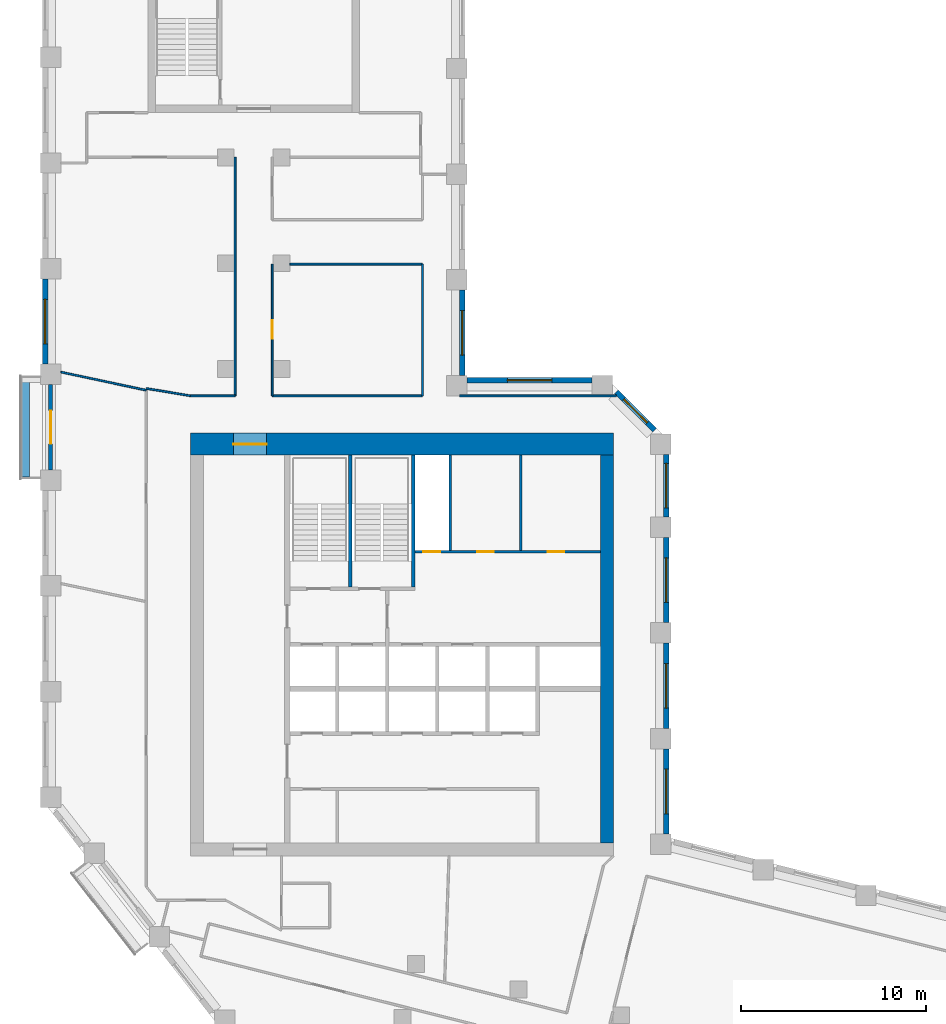
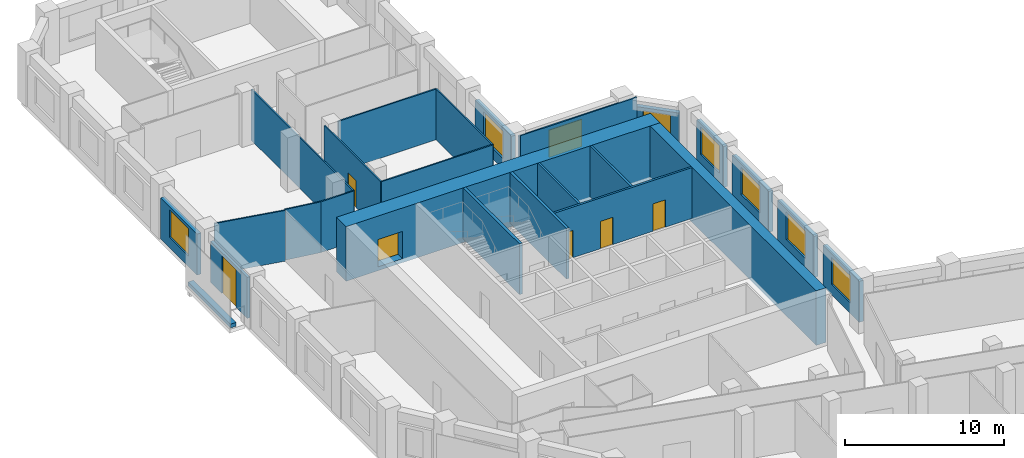
# One storey, part 6 of 10: 26 walls, 8 windows, 6 doors, 14 openings.
"""IFC4 building model written with IfcOpenShell, lengths in metres."""

from ifc_helpers import new_model, si_unit, direction, frame, frame_2d, origin, place, context, subcontext, project, spatial, rectangle, extrude, material, layer, layer_set, type_object, element, fill, save


model = new_model("IFC4")

# Units and contexts
model_context = context("Model", 3, precision=1e-05, world=origin(), true_north=direction((0.0, 1.0)))
body_context = subcontext(model_context, "Body", "Model", "MODEL_VIEW")
ifc_project = project(units=[si_unit("LENGTHUNIT", "METRE"), si_unit("AREAUNIT", "SQUARE_METRE"), si_unit("VOLUMEUNIT", "CUBIC_METRE"), si_unit("PLANEANGLEUNIT", "RADIAN"), si_unit("MASSUNIT", "GRAM", prefix="KILO")], contexts=[model_context])

# Site, building, storey
site_placement = place(None, origin())
site = spatial("IfcSite", under=ifc_project, at=site_placement, CompositionType="ELEMENT")
building_placement = place(site_placement, origin())
building = spatial("IfcBuilding", under=site, at=building_placement, Name="Meshkara Civic Tower", CompositionType="ELEMENT")
storey_placement = place(building_placement, frame((0.0, 0.0, 250.800048828125)))
storey = spatial("IfcBuildingStorey", under=building, at=storey_placement, Name="L57", CompositionType="ELEMENT", Elevation=250.800048828125)

# Wall, openings, doors
ifc_material_1 = material(Name="Blockwork", Category="masonry")
ifc_layer_1 = layer(ifc_material_1, 0.14990234375)
ifc_layer_set_1 = layer_set([ifc_layer_1], Name="Core partition 150")
wall_type_1 = type_object("IfcWallType", Name="Core partition 150", PredefinedType="PARTITIONING", material=ifc_layer_set_1)
wall_1_placement = place(storey_placement, frame((20.10009765625, 30.5, 0.0), z_axis=(0.0, 0.0, 1.0), x_axis=(1.0, 0.0, 0.0)))
wall_1 = element("IfcWall", 1, at=wall_1_placement, inside=storey, type_object=wall_type_1, Name="L57-C010", PredefinedType="PARTITIONING", context=body_context, shape_type="SweptSolid", body=[
    extrude(rectangle(XDim=10.0, YDim=0.14990234375, at=frame_2d((5.0, 0.0))), origin(), (0.0, 0.0, 1.0), 3.89990234375),
])
opening_1_placement = place(wall_1_placement, frame((0.449951171875, 0.0, 0.0)))
opening_1 = element("IfcOpeningElement", 2, at=opening_1_placement, cuts=wall_1, Name="Opening L57-K012", PredefinedType="OPENING", context=body_context, shape_type="SweptSolid", body=[
    extrude(rectangle(XDim=0.89990234375, YDim=2.10009765625, at=frame_2d((0.449951171875, 1.050048828125))), frame((0.0, 0.0849609375, 0.0), z_axis=(0.0, -1.0, 0.0), x_axis=(1.0, 0.0, 0.0)), (0.0, 0.0, 1.0), 0.169921875),
])
opening_2_placement = place(wall_1_placement, frame((3.35009765625, 0.0, 0.0)))
opening_2 = element("IfcOpeningElement", 3, at=opening_2_placement, cuts=wall_1, Name="Opening L57-K013", PredefinedType="OPENING", context=body_context, shape_type="SweptSolid", body=[
    extrude(rectangle(XDim=0.89990234375, YDim=2.10009765625, at=frame_2d((0.449951171875, 1.050048828125))), frame((0.0, 0.0849609375, 0.0), z_axis=(0.0, -1.0, 0.0), x_axis=(1.0, 0.0, 0.0)), (0.0, 0.0, 1.0), 0.169921875),
])
opening_3_placement = place(wall_1_placement, frame((7.14990234375, 0.0, 0.0)))
opening_3 = element("IfcOpeningElement", 4, at=opening_3_placement, cuts=wall_1, Name="Opening L57-K014", PredefinedType="OPENING", context=body_context, shape_type="SweptSolid", body=[
    extrude(rectangle(XDim=0.89990234375, YDim=2.10009765625, at=frame_2d((0.449951171875, 1.050048828125))), frame((0.0, 0.0849609375, 0.0), z_axis=(0.0, -1.0, 0.0), x_axis=(1.0, 0.0, 0.0)), (0.0, 0.0, 1.0), 0.169921875),
])
ifc_material_2 = material(Name="Timber door leaf in steel frame", Category="steel")
door_type_1 = type_object("IfcDoorType", Name="Core room door 900", OperationType="SINGLE_SWING_LEFT", PredefinedType="DOOR", material=ifc_material_2)
door_1_placement = place(opening_2_placement, origin())
door_1 = element("IfcDoor", 5, at=door_1_placement, inside=storey, type_object=door_type_1, Name="L57-K013", OperationType="SINGLE_SWING_RIGHT", OverallHeight=2.10009765625, OverallWidth=0.89990234375, PredefinedType="DOOR", context=body_context, shape_type="SweptSolid", body=[
    extrude(rectangle(XDim=0.89990234375, YDim=2.10009765625, at=frame_2d((0.449951171875, 1.050048828125))), frame((0.0, 0.02490234375, 0.0), z_axis=(0.0, -1.0, 0.0), x_axis=(1.0, 0.0, 0.0)), (0.0, 0.0, 1.0), 0.050048828125),
])
fill(opening_2, door_1)
ifc_material_3 = material(Name="Fire-rated door leaf in steel frame", Category="steel")
door_type_2 = type_object("IfcDoorType", Name="Riser door 900", OperationType="SINGLE_SWING_LEFT", PredefinedType="DOOR", material=ifc_material_3)
door_2_placement = place(opening_1_placement, origin())
door_2 = element("IfcDoor", 6, at=door_2_placement, inside=storey, type_object=door_type_2, Name="L57-K012", OperationType="SINGLE_SWING_RIGHT", OverallHeight=2.10009765625, OverallWidth=0.89990234375, PredefinedType="DOOR", context=body_context, shape_type="SweptSolid", body=[
    extrude(rectangle(XDim=0.89990234375, YDim=2.10009765625, at=frame_2d((0.449951171875, 1.050048828125))), frame((0.0, 0.02490234375, 0.0), z_axis=(0.0, -1.0, 0.0), x_axis=(1.0, 0.0, 0.0)), (0.0, 0.0, 1.0), 0.050048828125),
])
fill(opening_1, door_2)
ifc_material_4 = material(Name="Timber door leaf in steel frame", Category="steel")
door_type_3 = type_object("IfcDoorType", Name="WC door 900", OperationType="SINGLE_SWING_LEFT", PredefinedType="DOOR", material=ifc_material_4)
door_3_placement = place(opening_3_placement, origin())
door_3 = element("IfcDoor", 7, at=door_3_placement, inside=storey, type_object=door_type_3, Name="L57-K014", OperationType="SINGLE_SWING_LEFT", OverallHeight=2.10009765625, OverallWidth=0.89990234375, PredefinedType="DOOR", context=body_context, shape_type="SweptSolid", body=[
    extrude(rectangle(XDim=0.89990234375, YDim=2.10009765625, at=frame_2d((0.449951171875, 1.050048828125))), frame((0.0, 0.02490234375, 0.0), z_axis=(0.0, -1.0, 0.0), x_axis=(1.0, 0.0, 0.0)), (0.0, 0.0, 1.0), 0.050048828125),
])
fill(opening_3, door_3)

# Walls
for number, where, z_axis, x_axis, name in (
    (8, (22.0, 30.574951171875, 0.0), (0.0, 0.0, 1.0), (0.0, 1.0, 0.0), "L57-C018"),
    (9, (25.800048828125, 30.574951171875, 0.0), (0.0, 0.0, 1.0), (0.0, 1.0, 0.0), "L57-C020"),
):
    element("IfcWall", number, at=place(storey_placement, frame(where, z_axis=z_axis, x_axis=x_axis)), inside=storey, type_object=wall_type_1, Name=name, PredefinedType="PARTITIONING", context=body_context, shape_type="SweptSolid", body=[
        extrude(rectangle(XDim=5.125, YDim=0.14990234375, at=frame_2d((2.5625, 0.0))), origin(), (0.0, 0.0, 1.0), 3.89990234375),
    ])

# Wall, opening, door
ifc_material_5 = material(Name="Concrete C60", Category="concrete")
ifc_layer_2 = layer(ifc_material_5, 1.199951171875)
ifc_layer_set_2 = layer_set([ifc_layer_2], Name="Core ring wall 1200 C60")
wall_type_2 = type_object("IfcWallType", Name="Core ring wall 1200 C60", PredefinedType="SHEAR", material=ifc_layer_set_2)
wall_2_placement = place(storey_placement, frame((8.0, 36.300048828125, -0.300048828125), z_axis=(0.0, 0.0, 1.0), x_axis=(1.0, 0.0, 0.0)))
wall_2 = element("IfcWall", 10, at=wall_2_placement, inside=storey, type_object=wall_type_2, Name="L57-C002", PredefinedType="SHEAR", context=body_context, shape_type="SweptSolid", body=[
    extrude(rectangle(XDim=22.800048828125, YDim=1.199951171875, at=frame_2d((11.39990234375, 0.0))), origin(), (0.0, 0.0, 1.0), 4.199951171875),
])
opening_4_placement = place(wall_2_placement, frame((2.300048828125, 0.0, 0.300048828125)))
opening_4 = element("IfcOpeningElement", 11, at=opening_4_placement, cuts=wall_2, Name="Opening L57-K020", PredefinedType="OPENING", context=body_context, shape_type="SweptSolid", body=[
    extrude(rectangle(XDim=1.800048828125, YDim=2.10009765625, at=frame_2d((0.89990234375, 1.050048828125))), frame((0.0, 0.60986328125, 0.0), z_axis=(0.0, -1.0, 0.0), x_axis=(1.0, 0.0, 0.0)), (0.0, 0.0, 1.0), 1.219970703125),
])
ifc_material_6 = material(Name="Fire-rated door leaf in steel frame", Category="steel")
door_type_4 = type_object("IfcDoorType", Name="Core double door 1800 EI 60", OperationType="DOUBLE_DOOR_SINGLE_SWING", PredefinedType="DOOR", material=ifc_material_6)
door_4_placement = place(opening_4_placement, origin())
door_4 = element("IfcDoor", 12, at=door_4_placement, inside=storey, type_object=door_type_4, Name="L57-K020", OperationType="DOUBLE_DOOR_SINGLE_SWING", OverallHeight=2.10009765625, OverallWidth=1.800048828125, PredefinedType="DOOR", context=body_context, shape_type="SweptSolid", body=[
    extrude(rectangle(XDim=1.800048828125, YDim=2.10009765625, at=frame_2d((0.89990234375, 1.050048828125))), frame((0.0, 0.02490234375, 0.0), z_axis=(0.0, -1.0, 0.0), x_axis=(1.0, 0.0, 0.0)), (0.0, 0.0, 1.0), 0.050048828125),
])
fill(opening_4, door_4)

# Walls
ifc_material_7 = material(Name="Concrete C60", Category="concrete")
ifc_layer_3 = layer(ifc_material_7, 0.699951171875)
ifc_layer_set_3 = layer_set([ifc_layer_3], Name="Core ring wall 700 C60")
wall_type_3 = type_object("IfcWallType", Name="Core ring wall 700 C60", PredefinedType="SHEAR", material=ifc_layer_set_3)
wall_3_placement = place(storey_placement, frame((30.449951171875, 14.800048828125, -0.300048828125), z_axis=(0.0, 0.0, 1.0), x_axis=(0.0, 1.0, 0.0)))
element("IfcWall", 13, at=wall_3_placement, inside=storey, type_object=wall_type_3, Name="L57-C004", PredefinedType="SHEAR", context=body_context, shape_type="SweptSolid", body=[
    extrude(rectangle(XDim=20.89990234375, YDim=0.699951171875, at=frame_2d((10.449951171875, 0.0))), origin(), (0.0, 0.0, 1.0), 4.199951171875),
])
ifc_material_8 = material(Name="Corridor wall 100")
ifc_layer_4 = layer(ifc_material_8, 0.10009765625)
ifc_layer_set_4 = layer_set([ifc_layer_4], Name="Corridor wall 100")
wall_type_4 = type_object("IfcWallType", Name="Corridor wall 100", PredefinedType="PARTITIONING", material=ifc_layer_set_4)
wall_4_placement = place(storey_placement, frame((8.0, 38.89990234375, 0.0), z_axis=(0.0, 0.0, 1.0), x_axis=(-0.986383073668, 0.16446407505, 0.0)))
element("IfcWall", 14, at=wall_4_placement, inside=storey, type_object=wall_type_4, Name="L57-W007", PredefinedType="PARTITIONING", context=body_context, shape_type="SweptSolid", body=[
    extrude(rectangle(XDim=2.43310546875, YDim=0.10009765625, at=frame_2d((1.216552734375, 0.0))), origin(), (0.0, 0.0, 1.0), 3.89990234375),
])
wall_5_placement = place(storey_placement, frame((10.39990234375, 38.89990234375, 0.0), z_axis=(0.0, 0.0, 1.0), x_axis=(-1.0, 0.0, 0.0)))
element("IfcWall", 15, at=wall_5_placement, inside=storey, type_object=wall_type_4, Name="L57-W012", PredefinedType="PARTITIONING", context=body_context, shape_type="SweptSolid", body=[
    extrude(rectangle(XDim=2.39990234375, YDim=0.10009765625, at=frame_2d((1.199951171875, 0.0))), origin(), (0.0, 0.0, 1.0), 3.89990234375),
])
wall_6_placement = place(storey_placement, frame((10.39990234375, 51.77001953125, 0.0), z_axis=(0.0, 0.0, 1.0), x_axis=(0.0, -1.0, 0.0)))
element("IfcWall", 16, at=wall_6_placement, inside=storey, type_object=wall_type_4, Name="L57-W013", PredefinedType="PARTITIONING", context=body_context, shape_type="SweptSolid", body=[
    extrude(rectangle(XDim=12.8701171875, YDim=0.10009765625, at=frame_2d((6.43505859375, 0.0))), origin(), (0.0, 0.0, 1.0), 3.89990234375),
])

# Wall, opening, door
wall_7_placement = place(storey_placement, frame((12.39990234375, 38.89990234375, 0.0), z_axis=(0.0, 0.0, 1.0), x_axis=(0.0, 1.0, 0.0)))
wall_7 = element("IfcWall", 17, at=wall_7_placement, inside=storey, type_object=wall_type_4, Name="L57-W014", PredefinedType="PARTITIONING", context=body_context, shape_type="SweptSolid", body=[
    extrude(rectangle(XDim=7.10009765625, YDim=0.10009765625, at=frame_2d((3.550048828125, 0.0))), origin(), (0.0, 0.0, 1.0), 3.89990234375),
])
opening_5_placement = place(wall_7_placement, frame((3.080078125, 0.0, 0.0)))
opening_5 = element("IfcOpeningElement", 18, at=opening_5_placement, cuts=wall_7, Name="Opening L57-D015", PredefinedType="OPENING", context=body_context, shape_type="SweptSolid", body=[
    extrude(rectangle(XDim=1.0, YDim=2.10009765625, at=frame_2d((0.5, 1.050048828125))), frame((0.0, 0.06005859375, 0.0), z_axis=(0.0, -1.0, 0.0), x_axis=(1.0, 0.0, 0.0)), (0.0, 0.0, 1.0), 0.1201171875),
])
ifc_material_9 = material(Name="Door 1000 x 2100")
door_type_5 = type_object("IfcDoorType", Name="Door 1000 x 2100", OperationType="SINGLE_SWING_LEFT", PredefinedType="DOOR", material=ifc_material_9)
door_5_placement = place(opening_5_placement, origin())
door_5 = element("IfcDoor", 19, at=door_5_placement, inside=storey, type_object=door_type_5, Name="L57-D015", OperationType="SINGLE_SWING_LEFT", OverallHeight=2.10009765625, OverallWidth=1.0, PredefinedType="DOOR", context=body_context, shape_type="SweptSolid", body=[
    extrude(rectangle(XDim=1.0, YDim=2.10009765625, at=frame_2d((0.5, 1.050048828125))), frame((0.0, 0.02490234375, 0.0), z_axis=(0.0, -1.0, 0.0), x_axis=(1.0, 0.0, 0.0)), (0.0, 0.0, 1.0), 0.050048828125),
])
fill(opening_5, door_5)

# Walls
wall_8_placement = place(storey_placement, frame((13.35009765625, 46.0, 0.0), z_axis=(0.0, 0.0, 1.0), x_axis=(1.0, 0.0, 0.0)))
element("IfcWall", 20, at=wall_8_placement, inside=storey, type_object=wall_type_4, Name="L57-W017", PredefinedType="PARTITIONING", context=body_context, shape_type="SweptSolid", body=[
    extrude(rectangle(XDim=7.14990234375, YDim=0.10009765625, at=frame_2d((3.574951171875, 0.0))), origin(), (0.0, 0.0, 1.0), 3.89990234375),
])
wall_9_placement = place(storey_placement, frame((20.5, 38.89990234375, 0.0), z_axis=(0.0, 0.0, 1.0), x_axis=(-1.0, 0.0, 0.0)))
element("IfcWall", 21, at=wall_9_placement, inside=storey, type_object=wall_type_4, Name="L57-W021", PredefinedType="PARTITIONING", context=body_context, shape_type="SweptSolid", body=[
    extrude(rectangle(XDim=8.10009765625, YDim=0.10009765625, at=frame_2d((4.050048828125, 0.0))), origin(), (0.0, 0.0, 1.0), 3.89990234375),
])
wall_10_placement = place(storey_placement, frame((20.5, 46.0, 0.0), z_axis=(0.0, 0.0, 1.0), x_axis=(0.0, -1.0, 0.0)))
element("IfcWall", 22, at=wall_10_placement, inside=storey, type_object=wall_type_4, Name="L57-W022", PredefinedType="PARTITIONING", context=body_context, shape_type="SweptSolid", body=[
    extrude(rectangle(XDim=7.10009765625, YDim=0.10009765625, at=frame_2d((3.550048828125, 0.0))), origin(), (0.0, 0.0, 1.0), 3.89990234375),
])
wall_11_placement = place(storey_placement, frame((30.9560546875, 38.89990234375, 0.0), z_axis=(0.0, 0.0, 1.0), x_axis=(-1.0, 0.0, 0.0)))
element("IfcWall", 23, at=wall_11_placement, inside=storey, type_object=wall_type_4, Name="L57-W030", PredefinedType="PARTITIONING", context=body_context, shape_type="SweptSolid", body=[
    extrude(rectangle(XDim=8.4560546875, YDim=0.10009765625, at=frame_2d((4.22802734375, 0.0))), origin(), (0.0, 0.0, 1.0), 3.89990234375),
])

# Wall, opening, window
ifc_material_10 = material(Name="Insulated infill panel with bronze anodised aluminium cladding", Category="aluminium")
ifc_layer_5 = layer(ifc_material_10, 0.300048828125)
ifc_layer_set_5 = layer_set([ifc_layer_5], Name="EXTERNAL INFILL WALL 300")
wall_type_5 = type_object("IfcWallType", Name="EXTERNAL INFILL WALL 300", PredefinedType="SOLIDWALL", material=ifc_layer_set_5)
wall_12_placement = place(storey_placement, frame((33.64990234375, 15.26904296875, 0.0), z_axis=(0.0, 0.0, 1.0), x_axis=(0.0, 1.0, 0.0)))
wall_12 = element("IfcWall", 24, at=wall_12_placement, inside=storey, type_object=wall_type_5, Name="External wall", PredefinedType="SOLIDWALL", context=body_context, shape_type="SweptSolid", body=[
    extrude(rectangle(XDim=4.599853515625, YDim=0.300048828125, at=frame_2d((2.2998046875, 0.0))), origin(), (0.0, 0.0, 1.0), 3.14990234375),
])
opening_6_placement = place(wall_12_placement, frame((1.10009765625, 0.0, 0.800048828125)))
opening_6 = element("IfcOpeningElement", 25, at=opening_6_placement, cuts=wall_12, Name="Opening W7", PredefinedType="OPENING", context=body_context, shape_type="SweptSolid", body=[
    extrude(rectangle(XDim=2.39990234375, YDim=2.10009765625, at=frame_2d((1.199951171875, 1.050048828125))), frame((0.0, 0.159912109375, 0.0), z_axis=(0.0, -1.0, 0.0), x_axis=(1.0, 0.0, 0.0)), (0.0, 0.0, 1.0), 0.320068359375),
])
ifc_material_11 = material(Name="Tinted double glazing", Category="glass")
window_type_1 = type_object("IfcWindowType", Name="WINDOW 2400x2100", PartitioningType="DOUBLE_PANEL_VERTICAL", PredefinedType="WINDOW", material=ifc_material_11)
window_1_placement = place(opening_6_placement, origin())
window_1 = element("IfcWindow", 26, at=window_1_placement, inside=storey, type_object=window_type_1, Name="Window", OverallHeight=2.10009765625, OverallWidth=2.39990234375, PartitioningType="DOUBLE_PANEL_VERTICAL", PredefinedType="WINDOW", context=body_context, shape_type="SweptSolid", body=[
    extrude(rectangle(XDim=2.39990234375, YDim=2.10009765625, at=frame_2d((1.199951171875, 1.050048828125))), frame((0.0, 0.030029296875, 0.0), z_axis=(0.0, -1.0, 0.0), x_axis=(1.0, 0.0, 0.0)), (0.0, 0.0, 1.0), 0.06005859375),
])
fill(opening_6, window_1)

wall_13_placement = place(storey_placement, frame((33.64990234375, 20.968994140625, 0.0), z_axis=(0.0, 0.0, 1.0), x_axis=(0.0, 1.0, 0.0)))
wall_13 = element("IfcWall", 27, at=wall_13_placement, inside=storey, type_object=wall_type_5, Name="External wall", PredefinedType="SOLIDWALL", context=body_context, shape_type="SweptSolid", body=[
    extrude(rectangle(XDim=4.60009765625, YDim=0.300048828125, at=frame_2d((2.300048828125, 0.0))), origin(), (0.0, 0.0, 1.0), 3.14990234375),
])
opening_7_placement = place(wall_13_placement, frame((1.10009765625, 0.0, 0.800048828125)))
opening_7 = element("IfcOpeningElement", 28, at=opening_7_placement, cuts=wall_13, Name="Opening W7", PredefinedType="OPENING", context=body_context, shape_type="SweptSolid", body=[
    extrude(rectangle(XDim=2.39990234375, YDim=2.10009765625, at=frame_2d((1.199951171875, 1.050048828125))), frame((0.0, 0.159912109375, 0.0), z_axis=(0.0, -1.0, 0.0), x_axis=(1.0, 0.0, 0.0)), (0.0, 0.0, 1.0), 0.320068359375),
])
window_2_placement = place(opening_7_placement, origin())
window_2 = element("IfcWindow", 29, at=window_2_placement, inside=storey, type_object=window_type_1, Name="Window", OverallHeight=2.10009765625, OverallWidth=2.39990234375, PartitioningType="DOUBLE_PANEL_VERTICAL", PredefinedType="WINDOW", context=body_context, shape_type="SweptSolid", body=[
    extrude(rectangle(XDim=2.39990234375, YDim=2.10009765625, at=frame_2d((1.199951171875, 1.050048828125))), frame((0.0, 0.030029296875, 0.0), z_axis=(0.0, -1.0, 0.0), x_axis=(1.0, 0.0, 0.0)), (0.0, 0.0, 1.0), 0.06005859375),
])
fill(opening_7, window_2)

wall_14_placement = place(storey_placement, frame((33.64990234375, 26.6689453125, 0.0), z_axis=(0.0, 0.0, 1.0), x_axis=(0.0, 1.0, 0.0)))
wall_14 = element("IfcWall", 30, at=wall_14_placement, inside=storey, type_object=wall_type_5, Name="External wall", PredefinedType="SOLIDWALL", context=body_context, shape_type="SweptSolid", body=[
    extrude(rectangle(XDim=4.60009765625, YDim=0.300048828125, at=frame_2d((2.300048828125, 0.0))), origin(), (0.0, 0.0, 1.0), 3.14990234375),
])
opening_8_placement = place(wall_14_placement, frame((1.10009765625, 0.0, 0.800048828125)))
opening_8 = element("IfcOpeningElement", 31, at=opening_8_placement, cuts=wall_14, Name="Opening W7", PredefinedType="OPENING", context=body_context, shape_type="SweptSolid", body=[
    extrude(rectangle(XDim=2.39990234375, YDim=2.10009765625, at=frame_2d((1.199951171875, 1.050048828125))), frame((0.0, 0.159912109375, 0.0), z_axis=(0.0, -1.0, 0.0), x_axis=(1.0, 0.0, 0.0)), (0.0, 0.0, 1.0), 0.320068359375),
])
window_3_placement = place(opening_8_placement, origin())
window_3 = element("IfcWindow", 32, at=window_3_placement, inside=storey, type_object=window_type_1, Name="Window", OverallHeight=2.10009765625, OverallWidth=2.39990234375, PartitioningType="DOUBLE_PANEL_VERTICAL", PredefinedType="WINDOW", context=body_context, shape_type="SweptSolid", body=[
    extrude(rectangle(XDim=2.39990234375, YDim=2.10009765625, at=frame_2d((1.199951171875, 1.050048828125))), frame((0.0, 0.030029296875, 0.0), z_axis=(0.0, -1.0, 0.0), x_axis=(1.0, 0.0, 0.0)), (0.0, 0.0, 1.0), 0.06005859375),
])
fill(opening_8, window_3)

wall_15_placement = place(storey_placement, frame((33.64990234375, 32.368896484375, 0.0), z_axis=(0.0, 0.0, 1.0), x_axis=(0.0, 1.0, 0.0)))
wall_15 = element("IfcWall", 33, at=wall_15_placement, inside=storey, type_object=wall_type_5, Name="External wall", PredefinedType="SOLIDWALL", context=body_context, shape_type="SweptSolid", body=[
    extrude(rectangle(XDim=3.375, YDim=0.300048828125, at=frame_2d((1.6875, 0.0))), origin(), (0.0, 0.0, 1.0), 3.14990234375),
])
opening_9_placement = place(wall_15_placement, frame((0.488037109375, 0.0, 0.800048828125)))
opening_9 = element("IfcOpeningElement", 34, at=opening_9_placement, cuts=wall_15, Name="Opening W7", PredefinedType="OPENING", context=body_context, shape_type="SweptSolid", body=[
    extrude(rectangle(XDim=2.39990234375, YDim=2.10009765625, at=frame_2d((1.199951171875, 1.050048828125))), frame((0.0, 0.159912109375, 0.0), z_axis=(0.0, -1.0, 0.0), x_axis=(1.0, 0.0, 0.0)), (0.0, 0.0, 1.0), 0.320068359375),
])
window_4_placement = place(opening_9_placement, origin())
window_4 = element("IfcWindow", 35, at=window_4_placement, inside=storey, type_object=window_type_1, Name="Window", OverallHeight=2.10009765625, OverallWidth=2.39990234375, PartitioningType="DOUBLE_PANEL_VERTICAL", PredefinedType="WINDOW", context=body_context, shape_type="SweptSolid", body=[
    extrude(rectangle(XDim=2.39990234375, YDim=2.10009765625, at=frame_2d((1.199951171875, 1.050048828125))), frame((0.0, 0.030029296875, 0.0), z_axis=(0.0, -1.0, 0.0), x_axis=(1.0, 0.0, 0.0)), (0.0, 0.0, 1.0), 0.06005859375),
])
fill(opening_9, window_4)

wall_16_placement = place(storey_placement, frame((33.011962890625, 37.055908203125, 0.0), z_axis=(0.0, 0.0, 1.0), x_axis=(-0.707064797706, 0.707148762175, 0.0)))
wall_16 = element("IfcWall", 36, at=wall_16_placement, inside=storey, type_object=wall_type_5, Name="External wall", PredefinedType="SOLIDWALL", context=body_context, shape_type="SweptSolid", body=[
    extrude(rectangle(XDim=2.90771484375, YDim=0.300048828125, at=frame_2d((1.453857421875, 0.0))), origin(), (0.0, 0.0, 1.0), 3.14990234375),
])
opening_10_placement = place(wall_16_placement, frame((0.553955078125, 0.0, 0.800048828125)))
opening_10 = element("IfcOpeningElement", 37, at=opening_10_placement, cuts=wall_16, Name="Opening W9", PredefinedType="OPENING", context=body_context, shape_type="SweptSolid", body=[
    extrude(rectangle(XDim=1.800048828125, YDim=2.10009765625, at=frame_2d((0.89990234375, 1.050048828125))), frame((0.0, 0.159912109375, 0.0), z_axis=(0.0, -1.0, 0.0), x_axis=(1.0, 0.0, 0.0)), (0.0, 0.0, 1.0), 0.320068359375),
])
ifc_material_12 = material(Name="Tinted double glazing", Category="glass")
window_type_2 = type_object("IfcWindowType", Name="WINDOW 1800x2100", PartitioningType="DOUBLE_PANEL_VERTICAL", PredefinedType="WINDOW", material=ifc_material_12)
window_5_placement = place(opening_10_placement, origin())
window_5 = element("IfcWindow", 38, at=window_5_placement, inside=storey, type_object=window_type_2, Name="Window", OverallHeight=2.10009765625, OverallWidth=1.800048828125, PartitioningType="DOUBLE_PANEL_VERTICAL", PredefinedType="WINDOW", context=body_context, shape_type="SweptSolid", body=[
    extrude(rectangle(XDim=1.800048828125, YDim=2.10009765625, at=frame_2d((0.89990234375, 1.050048828125))), frame((0.0, 0.030029296875, 0.0), z_axis=(0.0, -1.0, 0.0), x_axis=(1.0, 0.0, 0.0)), (0.0, 0.0, 1.0), 0.06005859375),
])
fill(opening_10, window_5)

wall_17_placement = place(storey_placement, frame((29.64404296875, 39.75, 0.0), z_axis=(0.0, 0.0, 1.0), x_axis=(-1.0, 0.0, 0.0)))
wall_17 = element("IfcWall", 39, at=wall_17_placement, inside=storey, type_object=wall_type_5, Name="External wall", PredefinedType="SOLIDWALL", context=body_context, shape_type="SweptSolid", body=[
    extrude(rectangle(XDim=6.744140625, YDim=0.300048828125, at=frame_2d((3.3720703125, 0.0))), origin(), (0.0, 0.0, 1.0), 3.14990234375),
])
opening_11_placement = place(wall_17_placement, frame((2.172119140625, 0.0, 0.800048828125)))
opening_11 = element("IfcOpeningElement", 40, at=opening_11_placement, cuts=wall_17, Name="Opening W7", PredefinedType="OPENING", context=body_context, shape_type="SweptSolid", body=[
    extrude(rectangle(XDim=2.39990234375, YDim=2.10009765625, at=frame_2d((1.199951171875, 1.050048828125))), frame((0.0, 0.159912109375, 0.0), z_axis=(0.0, -1.0, 0.0), x_axis=(1.0, 0.0, 0.0)), (0.0, 0.0, 1.0), 0.320068359375),
])
window_6_placement = place(opening_11_placement, origin())
window_6 = element("IfcWindow", 41, at=window_6_placement, inside=storey, type_object=window_type_1, Name="Window", OverallHeight=2.10009765625, OverallWidth=2.39990234375, PartitioningType="DOUBLE_PANEL_VERTICAL", PredefinedType="WINDOW", context=body_context, shape_type="SweptSolid", body=[
    extrude(rectangle(XDim=2.39990234375, YDim=2.10009765625, at=frame_2d((1.199951171875, 1.050048828125))), frame((0.0, 0.030029296875, 0.0), z_axis=(0.0, -1.0, 0.0), x_axis=(1.0, 0.0, 0.0)), (0.0, 0.0, 1.0), 0.06005859375),
])
fill(opening_11, window_6)

wall_18_placement = place(storey_placement, frame((22.64990234375, 40.0, 0.0), z_axis=(0.0, 0.0, 1.0), x_axis=(0.0, 1.0, 0.0)))
wall_18 = element("IfcWall", 42, at=wall_18_placement, inside=storey, type_object=wall_type_5, Name="External wall", PredefinedType="SOLIDWALL", context=body_context, shape_type="SweptSolid", body=[
    extrude(rectangle(XDim=4.60009765625, YDim=0.300048828125, at=frame_2d((2.300048828125, 0.0))), origin(), (0.0, 0.0, 1.0), 3.14990234375),
])
opening_12_placement = place(wall_18_placement, frame((1.10009765625, 0.0, 0.800048828125)))
opening_12 = element("IfcOpeningElement", 43, at=opening_12_placement, cuts=wall_18, Name="Opening W7", PredefinedType="OPENING", context=body_context, shape_type="SweptSolid", body=[
    extrude(rectangle(XDim=2.39990234375, YDim=2.10009765625, at=frame_2d((1.199951171875, 1.050048828125))), frame((0.0, 0.159912109375, 0.0), z_axis=(0.0, -1.0, 0.0), x_axis=(1.0, 0.0, 0.0)), (0.0, 0.0, 1.0), 0.320068359375),
])
window_7_placement = place(opening_12_placement, origin())
window_7 = element("IfcWindow", 44, at=window_7_placement, inside=storey, type_object=window_type_1, Name="Window", OverallHeight=2.10009765625, OverallWidth=2.39990234375, PartitioningType="DOUBLE_PANEL_VERTICAL", PredefinedType="WINDOW", context=body_context, shape_type="SweptSolid", body=[
    extrude(rectangle(XDim=2.39990234375, YDim=2.10009765625, at=frame_2d((1.199951171875, 1.050048828125))), frame((0.0, 0.030029296875, 0.0), z_axis=(0.0, -1.0, 0.0), x_axis=(1.0, 0.0, 0.0)), (0.0, 0.0, 1.0), 0.06005859375),
])
fill(opening_12, window_7)

wall_19_placement = place(storey_placement, frame((0.14990234375, 45.205078125, 0.0), z_axis=(0.0, 0.0, 1.0), x_axis=(0.0, -1.0, 0.0)))
wall_19 = element("IfcWall", 45, at=wall_19_placement, inside=storey, type_object=wall_type_5, Name="External wall", PredefinedType="SOLIDWALL", context=body_context, shape_type="SweptSolid", body=[
    extrude(rectangle(XDim=4.60009765625, YDim=0.300048828125, at=frame_2d((2.300048828125, 0.0))), origin(), (0.0, 0.0, 1.0), 3.14990234375),
])
opening_13_placement = place(wall_19_placement, frame((1.10009765625, 0.0, 0.800048828125)))
opening_13 = element("IfcOpeningElement", 46, at=opening_13_placement, cuts=wall_19, Name="Opening W7", PredefinedType="OPENING", context=body_context, shape_type="SweptSolid", body=[
    extrude(rectangle(XDim=2.39990234375, YDim=2.10009765625, at=frame_2d((1.199951171875, 1.050048828125))), frame((0.0, 0.159912109375, 0.0), z_axis=(0.0, -1.0, 0.0), x_axis=(1.0, 0.0, 0.0)), (0.0, 0.0, 1.0), 0.320068359375),
])
window_8_placement = place(opening_13_placement, origin())
window_8 = element("IfcWindow", 47, at=window_8_placement, inside=storey, type_object=window_type_1, Name="Window", OverallHeight=2.10009765625, OverallWidth=2.39990234375, PartitioningType="DOUBLE_PANEL_VERTICAL", PredefinedType="WINDOW", context=body_context, shape_type="SweptSolid", body=[
    extrude(rectangle(XDim=2.39990234375, YDim=2.10009765625, at=frame_2d((1.199951171875, 1.050048828125))), frame((0.0, 0.030029296875, 0.0), z_axis=(0.0, -1.0, 0.0), x_axis=(1.0, 0.0, 0.0)), (0.0, 0.0, 1.0), 0.06005859375),
])
fill(opening_13, window_8)

# Wall, opening, door
ifc_material_13 = material(Name="Insulated infill panel with bronze anodised aluminium cladding", Category="aluminium")
ifc_layer_6 = layer(ifc_material_13, 0.199951171875)
ifc_layer_set_6 = layer_set([ifc_layer_6], Name="LOGGIA BACK WALL 200")
wall_type_6 = type_object("IfcWallType", Name="LOGGIA BACK WALL 200", PredefinedType="SOLIDWALL", material=ifc_layer_set_6)
wall_20_placement = place(storey_placement, frame((0.449951171875, 39.5048828125, 0.0), z_axis=(0.0, 0.0, 1.0), x_axis=(0.0, -1.0, 0.0)))
wall_20 = element("IfcWall", 48, at=wall_20_placement, inside=storey, type_object=wall_type_6, Name="Loggia wall", PredefinedType="SOLIDWALL", context=body_context, shape_type="SweptSolid", body=[
    extrude(rectangle(XDim=4.599853515625, YDim=0.199951171875, at=frame_2d((2.2998046875, 0.0))), origin(), (0.0, 0.0, 1.0), 3.14990234375),
])
opening_14_placement = place(wall_20_placement, frame((1.39990234375, 0.0, 0.0)))
opening_14 = element("IfcOpeningElement", 49, at=opening_14_placement, cuts=wall_20, Name="Opening L57-L001", PredefinedType="OPENING", context=body_context, shape_type="SweptSolid", body=[
    extrude(rectangle(XDim=1.800048828125, YDim=2.89990234375, at=frame_2d((0.89990234375, 1.449951171875))), frame((0.0, 0.10986328125, 0.0), z_axis=(0.0, -1.0, 0.0), x_axis=(1.0, 0.0, 0.0)), (0.0, 0.0, 1.0), 0.219970703125),
])
ifc_material_14 = material(Name="Tinted double glazing", Category="glass")
door_type_6 = type_object("IfcDoorType", Name="LOGGIA DOOR 1800x2900", OperationType="DOUBLE_DOOR_SINGLE_SWING", PredefinedType="DOOR", material=ifc_material_14)
door_6_placement = place(opening_14_placement, origin())
door_6 = element("IfcDoor", 50, at=door_6_placement, inside=storey, type_object=door_type_6, Name="L57-L001", OperationType="DOUBLE_DOOR_SINGLE_SWING", OverallHeight=2.89990234375, OverallWidth=1.800048828125, PredefinedType="DOOR", context=body_context, shape_type="SweptSolid", body=[
    extrude(rectangle(XDim=1.800048828125, YDim=2.89990234375, at=frame_2d((0.89990234375, 1.449951171875))), frame((0.0, 0.02490234375, 0.0), z_axis=(0.0, -1.0, 0.0), x_axis=(1.0, 0.0, 0.0)), (0.0, 0.0, 1.0), 0.050048828125),
])
fill(opening_14, door_6)

# Walls
ifc_material_15 = material(Name="Concrete C40", Category="concrete")
ifc_layer_7 = layer(ifc_material_15, 0.39990234375)
ifc_layer_set_7 = layer_set([ifc_layer_7], Name="PLANTER TRAY")
wall_type_7 = type_object("IfcWallType", Name="PLANTER TRAY", PredefinedType="SOLIDWALL", material=ifc_layer_set_7)
wall_21_placement = place(storey_placement, frame((-0.8798828125, 39.885009765625, 0.0), z_axis=(0.0, 0.0, 1.0), x_axis=(0.0, -1.0, 0.0)))
element("IfcWall", 51, at=wall_21_placement, inside=storey, type_object=wall_type_7, Name="Planter", PredefinedType="SOLIDWALL", context=body_context, shape_type="SweptSolid", body=[
    extrude(rectangle(XDim=5.360107421875, YDim=0.39990234375, at=frame_2d((2.68017578125, 0.0))), origin(), (0.0, 0.0, 1.0), 0.300048828125),
])
ifc_material_16 = material(Name="Partition 100")
ifc_layer_8 = layer(ifc_material_16, 0.10009765625)
ifc_layer_set_8 = layer_set([ifc_layer_8], Name="Partition 100")
wall_type_8 = type_object("IfcWallType", Name="Partition 100", PredefinedType="PARTITIONING", material=ifc_layer_set_8)
wall_22_placement = place(storey_placement, frame((5.60009765625, 39.205078125, 0.0), z_axis=(0.0, 0.0, 1.0), x_axis=(-0.97813694426, 0.207961819271, 0.0)))
element("IfcWall", 52, at=wall_22_placement, inside=storey, type_object=wall_type_8, Name="L57-W047", PredefinedType="PARTITIONING", context=body_context, shape_type="SweptSolid", body=[
    extrude(rectangle(XDim=4.702880859375, YDim=0.10009765625, at=frame_2d((2.3515625, 0.0))), origin(), (0.0, 0.0, 1.0), 3.89990234375),
])
ifc_material_17 = material(Name="Concrete C40/50", Category="concrete")
ifc_layer_9 = layer(ifc_material_17, 0.199951171875)
ifc_layer_set_9 = layer_set([ifc_layer_9], Name="Stair enclosure wall 200 C40/50")
wall_type_9 = type_object("IfcWallType", Name="Stair enclosure wall 200 C40/50", PredefinedType="SOLIDWALL", material=ifc_layer_set_9)
for number, where, z_axis, x_axis, name in (
    (53, (16.60009765625, 28.60009765625, 0.0), (0.0, 0.0, 1.0), (0.0, 1.0, 0.0), "L57-C014"),
    (54, (20.0, 28.60009765625, 0.0), (0.0, 0.0, 1.0), (0.0, 1.0, 0.0), "L57-C016"),
):
    element("IfcWall", number, at=place(storey_placement, frame(where, z_axis=z_axis, x_axis=x_axis)), inside=storey, type_object=wall_type_9, Name=name, PredefinedType="SOLIDWALL", context=body_context, shape_type="SweptSolid", body=[
        extrude(rectangle(XDim=7.099853515625, YDim=0.199951171875, at=frame_2d((3.5498046875, 0.0))), origin(), (0.0, 0.0, 1.0), 3.89990234375),
    ])

save(model, "model.ifc")
